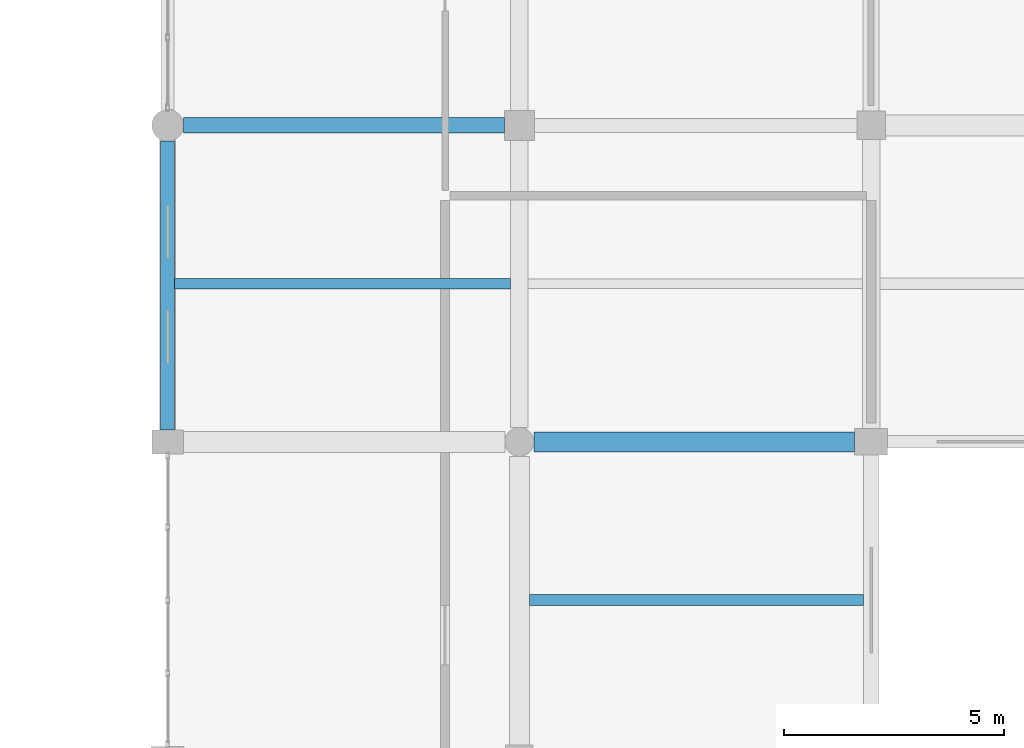
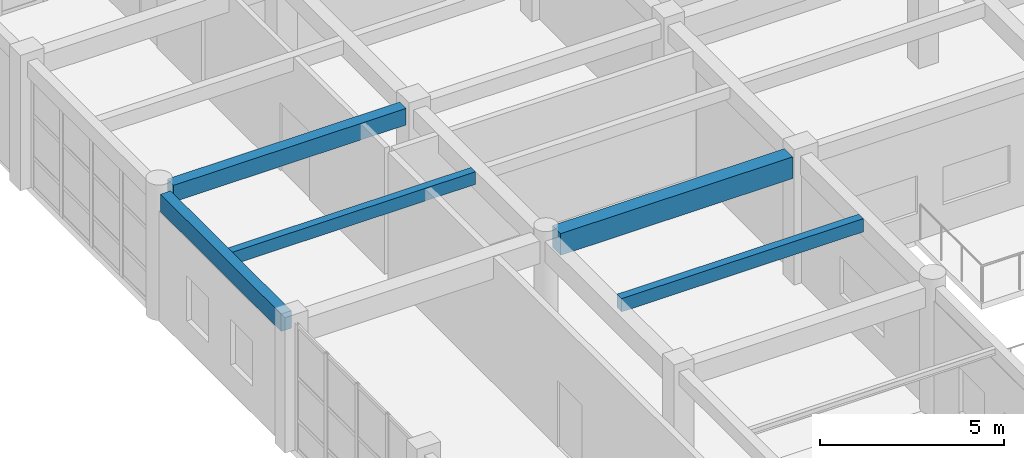
# One storey, part 72 of 160: 5 beams.
"""IFC4 building model written with IfcOpenShell, lengths in metres."""

from ifc_helpers import new_model, si_unit, direction, frame, origin, origin_2d, place, context, subcontext, project, spatial, rectangle, extrude, material, material_profile, profile_set, type_object, element, save


model = new_model("IFC4")

# Units and contexts
model_context = context("Model", 3, precision=1e-05, world=origin(), true_north=direction((0.0, 1.0)))
body_context = subcontext(model_context, "Body", "Model", "MODEL_VIEW")
ifc_project = project(units=[si_unit("LENGTHUNIT", "METRE"), si_unit("AREAUNIT", "SQUARE_METRE"), si_unit("VOLUMEUNIT", "CUBIC_METRE"), si_unit("PLANEANGLEUNIT", "RADIAN"), si_unit("MASSUNIT", "GRAM", prefix="KILO")], contexts=[model_context])

# Site, building, storey
site_placement = place(None, origin())
site = spatial("IfcSite", under=ifc_project, at=site_placement, CompositionType="ELEMENT")
building_placement = place(site_placement, origin())
building = spatial("IfcBuilding", under=site, at=building_placement, Name="Kharva Crest Polytechnic", CompositionType="ELEMENT")
storey_placement = place(building_placement, frame((0.0, 0.0, 4.5)))
storey = spatial("IfcBuildingStorey", under=building, at=storey_placement, Name="L01", CompositionType="ELEMENT", Elevation=4.5)

# Beams
ifc_material = material(Name="Concrete C35/45", Category="concrete")
ifc_material_profile_1 = material_profile(ifc_material, rectangle(XDim=0.35009765625, YDim=0.550048828125, at=origin_2d()), Name="RECT 350 X 550")
ifc_profile_set_1 = profile_set([ifc_material_profile_1], Name="Concrete C35/45")
beam_type_1 = type_object("IfcBeamType", Name="BM-RC-350X550", PredefinedType="BEAM", material=ifc_profile_set_1)
beam_1_placement = place(storey_placement, frame((32.360107421875, 107.60009765625, 3.945068359375), z_axis=(1.0, 0.0, 0.0), x_axis=(0.0, 1.0, 0.0)))
element("IfcBeam", 1, at=beam_1_placement, inside=storey, type_object=beam_type_1, Name="L01 Beam Q/5-6", PredefinedType="BEAM", context=body_context, shape_type="SweptSolid", body=[
    extrude(rectangle(XDim=0.35009765625, YDim=0.550048828125, at=origin_2d()), origin(), (0.0, 0.0, 1.0), 7.2998046875),
])
ifc_material_profile_2 = material_profile(ifc_material, rectangle(XDim=0.449951171875, YDim=0.719970703125, at=origin_2d()), Name="RECT 450 X 720")
ifc_profile_set_2 = profile_set([ifc_material_profile_2], Name="Concrete C35/45")
beam_type_2 = type_object("IfcBeamType", Name="BM-RC-450X720", PredefinedType="BEAM", material=ifc_profile_set_2)
beam_2_placement = place(storey_placement, frame((40.330078125, 100.39990234375, 3.860107421875), z_axis=(1.0, 0.0, 0.0), x_axis=(0.0, 1.0, 0.0)))
element("IfcBeam", 2, at=beam_2_placement, inside=storey, type_object=beam_type_2, Name="L01 Beam P/6-7", PredefinedType="BEAM", context=body_context, shape_type="SweptSolid", body=[
    extrude(rectangle(XDim=0.449951171875, YDim=0.719970703125, at=origin_2d()), origin(), (0.0, 0.0, 1.0), 7.294921875),
])
ifc_material_profile_3 = material_profile(ifc_material, rectangle(XDim=0.239990234375, YDim=0.419921875, at=origin_2d()), Name="RECT 240 X 420")
ifc_profile_set_3 = profile_set([ifc_material_profile_3], Name="Concrete C35/45")
beam_type_3 = type_object("IfcBeamType", Name="JS-RC-240X420", PredefinedType="JOIST", material=ifc_profile_set_3)
beam_3_placement = place(storey_placement, frame((32.159912109375, 104.0, 4.010009765625), z_axis=(1.0, 0.0, 0.0), x_axis=(0.0, 1.0, 0.0)))
element("IfcBeam", 3, at=beam_3_placement, inside=storey, type_object=beam_type_3, Name="L01 Floor Joist 8", PredefinedType="JOIST", context=body_context, shape_type="SweptSolid", body=[
    extrude(rectangle(XDim=0.239990234375, YDim=0.419921875, at=origin_2d()), origin(), (0.0, 0.0, 1.0), 7.64013671875),
])
ifc_material_profile_4 = material_profile(ifc_material, rectangle(XDim=0.25, YDim=0.43994140625, at=origin_2d()), Name="RECT 250 X 440")
ifc_profile_set_4 = profile_set([ifc_material_profile_4], Name="Concrete C35/45")
beam_type_4 = type_object("IfcBeamType", Name="JS-RC-250X440", PredefinedType="JOIST", material=ifc_profile_set_4)
beam_4_placement = place(storey_placement, frame((40.22509765625, 96.800048828125, 4.0), z_axis=(1.0, 0.0, 0.0), x_axis=(0.0, 1.0, 0.0)))
element("IfcBeam", 4, at=beam_4_placement, inside=storey, type_object=beam_type_4, Name="L01 Floor Joist 7", PredefinedType="JOIST", context=body_context, shape_type="SweptSolid", body=[
    extrude(rectangle(XDim=0.25, YDim=0.43994140625, at=origin_2d()), origin(), (0.0, 0.0, 1.0), 7.599853515625),
])
ifc_material_profile_5 = material_profile(ifc_material, rectangle(XDim=0.320068359375, YDim=0.580078125, at=origin_2d()), Name="RECT 320 X 580")
ifc_profile_set_5 = profile_set([ifc_material_profile_5], Name="Concrete C35/45")
beam_type_5 = type_object("IfcBeamType", Name="SP-RC-320X580", PredefinedType="SPANDREL", material=ifc_profile_set_5)
beam_5_placement = place(storey_placement, frame((32.0, 100.675048828125, 3.929931640625), z_axis=(0.0, 1.0, 0.0), x_axis=(-1.0, 0.0, 0.0)))
element("IfcBeam", 5, at=beam_5_placement, inside=storey, type_object=beam_type_5, Name="L01 Girder 5/P-Q", PredefinedType="SPANDREL", context=body_context, shape_type="SweptSolid", body=[
    extrude(rectangle(XDim=0.320068359375, YDim=0.580078125, at=origin_2d()), origin(), (0.0, 0.0, 1.0), 6.56494140625),
])

save(model, "model.ifc")
